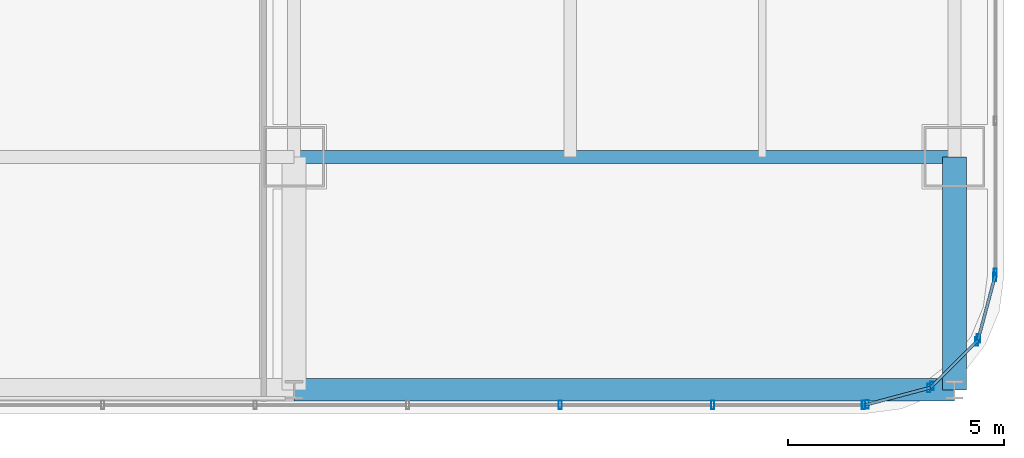
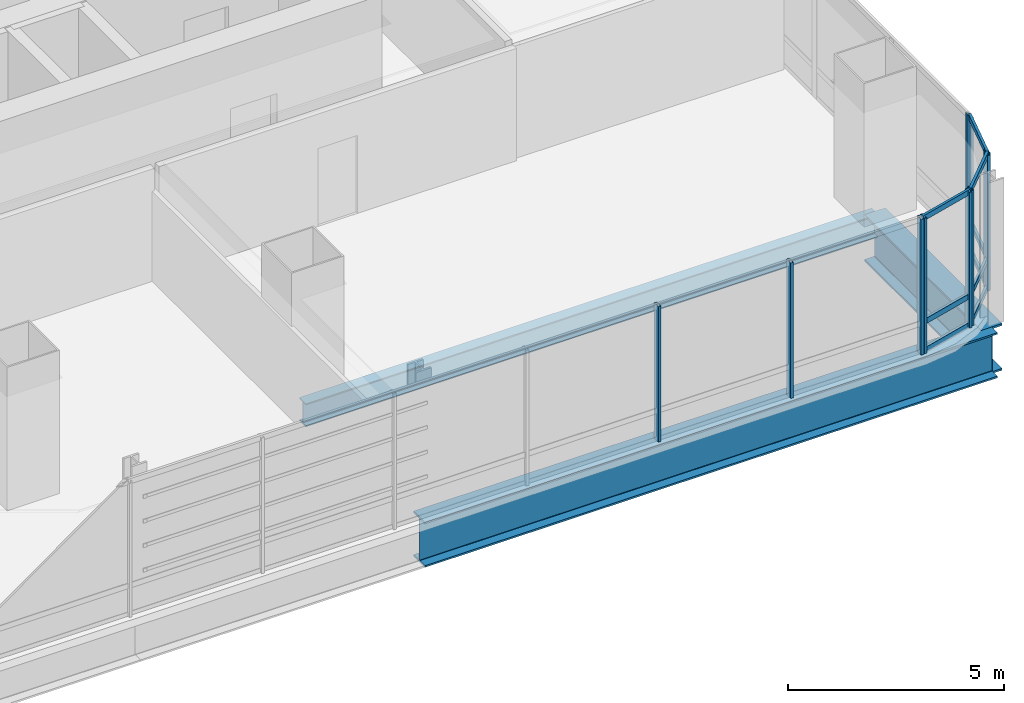
# One storey, part 13 of 36: 19 members, 3 beams, 5 elements without a shape of their own.
"""IFC4 building model written with IfcOpenShell, lengths in metres."""

from ifc_helpers import new_model, si_unit, direction, frame, origin, origin_2d, place, context, subcontext, project, spatial, hollow_rectangle, i_section, extrude, material, material_profile, profile_set, type_object, element, aggregate, save


model = new_model("IFC4")

# Units and contexts
model_context = context("Model", 3, precision=1e-05, world=origin(), true_north=direction((0.0, 1.0)))
body_context = subcontext(model_context, "Body", "Model", "MODEL_VIEW")
ifc_project = project(units=[si_unit("LENGTHUNIT", "METRE"), si_unit("AREAUNIT", "SQUARE_METRE"), si_unit("VOLUMEUNIT", "CUBIC_METRE"), si_unit("PLANEANGLEUNIT", "RADIAN"), si_unit("MASSUNIT", "GRAM", prefix="KILO")], contexts=[model_context])

# Site, building, storey
site_placement = place(None, origin())
site = spatial("IfcSite", under=ifc_project, at=site_placement, CompositionType="ELEMENT")
building_placement = place(site_placement, origin())
building = spatial("IfcBuilding", under=site, at=building_placement, Name="Punatoya Terracotta Tower", CompositionType="ELEMENT")
storey_placement = place(building_placement, frame((0.0, 0.0, 180.300048828125)))
storey = spatial("IfcBuildingStorey", under=building, at=storey_placement, Name="L42", CompositionType="ELEMENT", Elevation=180.300048828125)

# Beams
ifc_material_1 = material(Name="Steel S355", Category="steel")
ifc_material_profile_1 = material_profile(ifc_material_1, i_section(OverallWidth=0.300048828125, OverallDepth=0.64990234375, WebThickness=0.01611328125, FlangeThickness=0.031005859375, FilletRadius=0.01806640625, at=origin_2d()))
ifc_profile_set_1 = profile_set([ifc_material_profile_1], Name="Steel S355")
beam_type_1 = type_object("IfcBeamType", Name="BM-PRI-650", PredefinedType="BEAM", material=ifc_profile_set_1)
beam_1_placement = place(storey_placement, frame((3.800048828125, -17.5, -0.545166015625), z_axis=(1.0, 0.0, 0.0), x_axis=(0.0, 1.0, 0.0)))
element("IfcBeam", 1, at=beam_1_placement, inside=storey, type_object=beam_type_1, Name="BM-L42-RG-S3", PredefinedType="BEAM", context=body_context, shape_type="SweptSolid", body=[
    extrude(i_section(OverallWidth=0.300048828125, OverallDepth=0.64990234375, WebThickness=0.01611328125, FlangeThickness=0.031005859375, FilletRadius=0.01806640625, at=origin_2d()), origin(), (0.0, 0.0, 1.0), 15.300048828125),
])
ifc_material_2 = material(Name="Steel S460", Category="steel")
ifc_material_profile_2 = material_profile(ifc_material_2, i_section(OverallWidth=0.56005859375, OverallDepth=1.320068359375, WebThickness=0.035888671875, FlangeThickness=0.054931640625, FilletRadius=0.01806640625, at=origin_2d()))
ifc_profile_set_2 = profile_set([ifc_material_profile_2], Name="Steel S460")
beam_type_2 = type_object("IfcBeamType", Name="BM-TG-BLK", PredefinedType="BEAM", material=ifc_profile_set_2)
beam_2_placement = place(storey_placement, frame((19.10009765625, -22.89990234375, -0.880126953125), z_axis=(0.0, 1.0, 0.0), x_axis=(-1.0, 0.0, 0.0)))
element("IfcBeam", 2, at=beam_2_placement, inside=storey, type_object=beam_type_2, Name="BM-L42-CANT-S4", PredefinedType="BEAM", context=body_context, shape_type="SweptSolid", body=[
    extrude(i_section(OverallWidth=0.56005859375, OverallDepth=1.320068359375, WebThickness=0.035888671875, FlangeThickness=0.054931640625, FilletRadius=0.01806640625, at=origin_2d()), origin(), (0.0, 0.0, 1.0), 5.39990234375),
])
ifc_material_profile_3 = material_profile(ifc_material_2, i_section(OverallWidth=0.52001953125, OverallDepth=1.280029296875, WebThickness=0.031982421875, FlangeThickness=0.050048828125, FilletRadius=0.01806640625, at=origin_2d()))
ifc_profile_set_3 = profile_set([ifc_material_profile_3], Name="Steel S460")
beam_type_3 = type_object("IfcBeamType", Name="BM-TG-NCK", PredefinedType="BEAM", material=ifc_profile_set_3)
beam_3_placement = place(storey_placement, frame((3.800048828125, -22.89990234375, -0.860107421875), z_axis=(1.0, 0.0, 0.0), x_axis=(0.0, 1.0, 0.0)))
element("IfcBeam", 3, at=beam_3_placement, inside=storey, type_object=beam_type_3, Name="BM-L42-PER-S3", PredefinedType="BEAM", context=body_context, shape_type="SweptSolid", body=[
    extrude(i_section(OverallWidth=0.52001953125, OverallDepth=1.280029296875, WebThickness=0.031982421875, FlangeThickness=0.050048828125, FilletRadius=0.01806640625, at=origin_2d()), origin(), (0.0, 0.0, 1.0), 15.300048828125),
])

# Curtain wall, members
ifc_material_3 = material(Name="Aluminium 6063-T6 + Double Low-E Glass", Category="aluminium")
curtain_wall_type = type_object("IfcCurtainWallType", Name="CW-M2", PredefinedType="NOTDEFINED", material=ifc_material_3)
curtain_wall_1_placement = place(storey_placement, origin())
curtain_wall_1 = element("IfcCurtainWall", 4, at=curtain_wall_1_placement, inside=storey, type_object=curtain_wall_type, Name="L42 Curtain Wall CW-L42-S01-1", PredefinedType="NOTDEFINED")
ifc_material_4 = material(Name="Aluminium 6063-T6", Category="aluminium")
ifc_material_profile_4 = material_profile(ifc_material_4, hollow_rectangle(XDim=0.072021484375, YDim=0.195068359375, WallThickness=0.00439453125, at=origin_2d()))
ifc_profile_set_4 = profile_set([ifc_material_profile_4], Name="Aluminium 6063-T6")
member_type_1 = type_object("IfcMemberType", Name="CW-MUL-M2", PredefinedType="MULLION", material=ifc_profile_set_4)
member_1_placement = place(storey_placement, frame((9.968994140625, -23.25, 0.0), z_axis=(0.0, 0.0, 1.0), x_axis=(1.0, 0.0, 0.0)))
member_1 = element("IfcMember", 5, at=member_1_placement, type_object=member_type_1, Name="CW-L42-S01-1 Mullion 09", PredefinedType="MULLION", context=body_context, shape_type="SweptSolid", body=[
    extrude(hollow_rectangle(XDim=0.072021484375, YDim=0.195068359375, WallThickness=0.00439453125, at=origin_2d()), origin(), (0.0, 0.0, 1.0), 3.829833984375),
])
member_2_placement = place(storey_placement, frame((13.5029296875, -23.25, 0.0), z_axis=(0.0, 0.0, 1.0), x_axis=(1.0, 0.0, 0.0)))
member_2 = element("IfcMember", 6, at=member_2_placement, type_object=member_type_1, Name="CW-L42-S01-1 Mullion 10", PredefinedType="MULLION", context=body_context, shape_type="SweptSolid", body=[
    extrude(hollow_rectangle(XDim=0.072021484375, YDim=0.195068359375, WallThickness=0.00439453125, at=origin_2d()), origin(), (0.0, 0.0, 1.0), 3.829833984375),
])
member_3_placement = place(storey_placement, frame((16.991943359375, -23.25, 0.0), z_axis=(0.0, 0.0, 1.0), x_axis=(1.0, 0.0, 0.0)))
member_3 = element("IfcMember", 7, at=member_3_placement, type_object=member_type_1, Name="CW-L42-S01-1 Mullion 11", PredefinedType="MULLION", context=body_context, shape_type="SweptSolid", body=[
    extrude(hollow_rectangle(XDim=0.072021484375, YDim=0.195068359375, WallThickness=0.00439453125, at=origin_2d()), origin(), (0.0, 0.0, 1.0), 3.829833984375),
])
aggregate(curtain_wall_1, [member_1, member_2, member_3])

curtain_wall_2_placement = place(storey_placement, origin())
curtain_wall_2 = element("IfcCurtainWall", 8, at=curtain_wall_2_placement, inside=storey, type_object=curtain_wall_type, Name="L42 Curtain Wall CW-L42-CRN02", PredefinedType="NOTDEFINED")
member_4_placement = place(storey_placement, frame((17.080322265625, -23.23828125, 0.0), z_axis=(0.0, 0.0, 1.0), x_axis=(1.0, 0.0, 0.0)))
member_4 = element("IfcMember", 9, at=member_4_placement, type_object=member_type_1, Name="CW-L42-CRN02 Mullion 00", PredefinedType="MULLION", context=body_context, shape_type="SweptSolid", body=[
    extrude(hollow_rectangle(XDim=0.072021484375, YDim=0.195068359375, WallThickness=0.00439453125, at=origin_2d()), origin(), (0.0, 0.0, 1.0), 3.829833984375),
])
member_5_placement = place(storey_placement, frame((18.505615234375, -22.858154296875, 0.0), z_axis=(0.0, 0.0, 1.0), x_axis=(1.0, 0.0, 0.0)))
member_5 = element("IfcMember", 10, at=member_5_placement, type_object=member_type_1, Name="CW-L42-CRN02 Mullion 01", PredefinedType="MULLION", context=body_context, shape_type="SweptSolid", body=[
    extrude(hollow_rectangle(XDim=0.072021484375, YDim=0.195068359375, WallThickness=0.00439453125, at=origin_2d()), origin(), (0.0, 0.0, 1.0), 3.829833984375),
])

curtain_wall_3_placement = place(storey_placement, origin())
curtain_wall_3 = element("IfcCurtainWall", 11, at=curtain_wall_3_placement, inside=storey, type_object=curtain_wall_type, Name="L42 Curtain Wall CW-L42-CRN03", PredefinedType="NOTDEFINED")
member_6_placement = place(storey_placement, frame((18.580810546875, -22.814697265625, 0.0), z_axis=(0.0, 0.0, 1.0), x_axis=(1.0, 0.0, 0.0)))
member_6 = element("IfcMember", 12, at=member_6_placement, type_object=member_type_1, Name="CW-L42-CRN03 Mullion 00", PredefinedType="MULLION", context=body_context, shape_type="SweptSolid", body=[
    extrude(hollow_rectangle(XDim=0.072021484375, YDim=0.195068359375, WallThickness=0.00439453125, at=origin_2d()), origin(), (0.0, 0.0, 1.0), 3.829833984375),
])
member_7_placement = place(storey_placement, frame((19.61474609375, -21.781005859375, 0.0), z_axis=(0.0, 0.0, 1.0), x_axis=(1.0, 0.0, 0.0)))
member_7 = element("IfcMember", 13, at=member_7_placement, type_object=member_type_1, Name="CW-L42-CRN03 Mullion 01", PredefinedType="MULLION", context=body_context, shape_type="SweptSolid", body=[
    extrude(hollow_rectangle(XDim=0.072021484375, YDim=0.195068359375, WallThickness=0.00439453125, at=origin_2d()), origin(), (0.0, 0.0, 1.0), 3.829833984375),
])

curtain_wall_4_placement = place(storey_placement, origin())
curtain_wall_4 = element("IfcCurtainWall", 14, at=curtain_wall_4_placement, inside=storey, type_object=curtain_wall_type, Name="L42 Curtain Wall CW-L42-CRN04", PredefinedType="NOTDEFINED")
member_8_placement = place(storey_placement, frame((19.658203125, -21.70556640625, 0.0), z_axis=(0.0, 0.0, 1.0), x_axis=(1.0, 0.0, 0.0)))
member_8 = element("IfcMember", 15, at=member_8_placement, type_object=member_type_1, Name="CW-L42-CRN04 Mullion 00", PredefinedType="MULLION", context=body_context, shape_type="SweptSolid", body=[
    extrude(hollow_rectangle(XDim=0.072021484375, YDim=0.195068359375, WallThickness=0.00439453125, at=origin_2d()), origin(), (0.0, 0.0, 1.0), 3.829833984375),
])
member_9_placement = place(storey_placement, frame((20.038330078125, -20.280517578125, 0.0), z_axis=(0.0, 0.0, 1.0), x_axis=(1.0, 0.0, 0.0)))
member_9 = element("IfcMember", 16, at=member_9_placement, type_object=member_type_1, Name="CW-L42-CRN04 Mullion 01", PredefinedType="MULLION", context=body_context, shape_type="SweptSolid", body=[
    extrude(hollow_rectangle(XDim=0.072021484375, YDim=0.195068359375, WallThickness=0.00439453125, at=origin_2d()), origin(), (0.0, 0.0, 1.0), 3.829833984375),
])

# Curtain wall, member
curtain_wall_5_placement = place(storey_placement, origin())
curtain_wall_5 = element("IfcCurtainWall", 17, at=curtain_wall_5_placement, inside=storey, type_object=curtain_wall_type, Name="L42 Curtain Wall CW-L42-E05-1", PredefinedType="NOTDEFINED")
member_10_placement = place(storey_placement, frame((20.050048828125, -20.19189453125, 0.0), z_axis=(0.0, 0.0, 1.0), x_axis=(1.0, 0.0, 0.0)))
member_10 = element("IfcMember", 18, at=member_10_placement, type_object=member_type_1, Name="CW-L42-E05-1 Mullion 00", PredefinedType="MULLION", context=body_context, shape_type="SweptSolid", body=[
    extrude(hollow_rectangle(XDim=0.072021484375, YDim=0.195068359375, WallThickness=0.00439453125, at=origin_2d()), origin(), (0.0, 0.0, 1.0), 3.829833984375),
])
aggregate(curtain_wall_5, [member_10])

# Member
ifc_material_profile_5 = material_profile(ifc_material_4, hollow_rectangle(XDim=0.068115234375, YDim=0.14990234375, WallThickness=0.00390625, at=origin_2d()))
ifc_profile_set_5 = profile_set([ifc_material_profile_5], Name="Aluminium 6063-T6")
member_type_2 = type_object("IfcMemberType", Name="CW-TRN-TYP", PredefinedType="USERDEFINED", material=ifc_profile_set_5)
member_11_placement = place(storey_placement, frame((17.036865234375, -23.25, 0.0400390625), z_axis=(0.966224582397, 0.257701486942, 0.0), x_axis=(-0.257701486942, 0.966224582397, 0.0)))
member_11 = element("IfcMember", 19, at=member_11_placement, type_object=member_type_2, Name="CW-L42-CRN02 Transom 1", ObjectType="TRANSOM", PredefinedType="USERDEFINED", context=body_context, shape_type="SweptSolid", body=[
    extrude(hollow_rectangle(XDim=0.068115234375, YDim=0.14990234375, WallThickness=0.00390625, at=origin_2d()), origin(), (0.0, 0.0, 1.0), 1.565185546875),
])

member_12_placement = place(storey_placement, frame((17.036865234375, -23.25, 0.849853515625), z_axis=(0.966224582397, 0.257701486942, 0.0), x_axis=(-0.257701486942, 0.966224582397, 0.0)))
member_12 = element("IfcMember", 20, at=member_12_placement, type_object=member_type_2, Name="CW-L42-CRN02 Transom 2", ObjectType="TRANSOM", PredefinedType="USERDEFINED", context=body_context, shape_type="SweptSolid", body=[
    extrude(hollow_rectangle(XDim=0.068115234375, YDim=0.14990234375, WallThickness=0.00390625, at=origin_2d()), origin(), (0.0, 0.0, 1.0), 1.565185546875),
])

member_13_placement = place(storey_placement, frame((17.036865234375, -23.25, 3.7900390625), z_axis=(0.966224582397, 0.257701486942, 0.0), x_axis=(-0.257701486942, 0.966224582397, 0.0)))
member_13 = element("IfcMember", 21, at=member_13_placement, type_object=member_type_2, Name="CW-L42-CRN02 Transom 3", ObjectType="TRANSOM", PredefinedType="USERDEFINED", context=body_context, shape_type="SweptSolid", body=[
    extrude(hollow_rectangle(XDim=0.068115234375, YDim=0.14990234375, WallThickness=0.00390625, at=origin_2d()), origin(), (0.0, 0.0, 1.0), 1.565185546875),
])

aggregate(curtain_wall_2, [member_4, member_5, member_11, member_12, member_13])

member_14_placement = place(storey_placement, frame((18.549072265625, -22.8466796875, 0.0400390625), z_axis=(0.707028130747, 0.707185422879, 0.0), x_axis=(-0.707185422879, 0.707028130747, 0.0)))
member_14 = element("IfcMember", 22, at=member_14_placement, type_object=member_type_2, Name="CW-L42-CRN03 Transom 1", ObjectType="TRANSOM", PredefinedType="USERDEFINED", context=body_context, shape_type="SweptSolid", body=[
    extrude(hollow_rectangle(XDim=0.068115234375, YDim=0.14990234375, WallThickness=0.00390625, at=origin_2d()), origin(), (0.0, 0.0, 1.0), 1.55224609375),
])

member_15_placement = place(storey_placement, frame((18.549072265625, -22.8466796875, 0.849853515625), z_axis=(0.707028130747, 0.707185422879, 0.0), x_axis=(-0.707185422879, 0.707028130747, 0.0)))
member_15 = element("IfcMember", 23, at=member_15_placement, type_object=member_type_2, Name="CW-L42-CRN03 Transom 2", ObjectType="TRANSOM", PredefinedType="USERDEFINED", context=body_context, shape_type="SweptSolid", body=[
    extrude(hollow_rectangle(XDim=0.068115234375, YDim=0.14990234375, WallThickness=0.00390625, at=origin_2d()), origin(), (0.0, 0.0, 1.0), 1.55224609375),
])

member_16_placement = place(storey_placement, frame((18.549072265625, -22.8466796875, 3.7900390625), z_axis=(0.707028130747, 0.707185422879, 0.0), x_axis=(-0.707185422879, 0.707028130747, 0.0)))
member_16 = element("IfcMember", 24, at=member_16_placement, type_object=member_type_2, Name="CW-L42-CRN03 Transom 3", ObjectType="TRANSOM", PredefinedType="USERDEFINED", context=body_context, shape_type="SweptSolid", body=[
    extrude(hollow_rectangle(XDim=0.068115234375, YDim=0.14990234375, WallThickness=0.00390625, at=origin_2d()), origin(), (0.0, 0.0, 1.0), 1.55224609375),
])

aggregate(curtain_wall_3, [member_6, member_7, member_14, member_15, member_16])

member_17_placement = place(storey_placement, frame((19.646484375, -21.7490234375, 0.0400390625), z_axis=(0.257847112249, 0.966185730957, 0.0), x_axis=(-0.966185730957, 0.257847112249, 0.0)))
member_17 = element("IfcMember", 25, at=member_17_placement, type_object=member_type_2, Name="CW-L42-CRN04 Transom 1", ObjectType="TRANSOM", PredefinedType="USERDEFINED", context=body_context, shape_type="SweptSolid", body=[
    extrude(hollow_rectangle(XDim=0.068115234375, YDim=0.14990234375, WallThickness=0.00390625, at=origin_2d()), origin(), (0.0, 0.0, 1.0), 1.565185546875),
])

member_18_placement = place(storey_placement, frame((19.646484375, -21.7490234375, 0.849853515625), z_axis=(0.257847112249, 0.966185730957, 0.0), x_axis=(-0.966185730957, 0.257847112249, 0.0)))
member_18 = element("IfcMember", 26, at=member_18_placement, type_object=member_type_2, Name="CW-L42-CRN04 Transom 2", ObjectType="TRANSOM", PredefinedType="USERDEFINED", context=body_context, shape_type="SweptSolid", body=[
    extrude(hollow_rectangle(XDim=0.068115234375, YDim=0.14990234375, WallThickness=0.00390625, at=origin_2d()), origin(), (0.0, 0.0, 1.0), 1.565185546875),
])

member_19_placement = place(storey_placement, frame((19.646484375, -21.7490234375, 3.7900390625), z_axis=(0.257847112249, 0.966185730957, 0.0), x_axis=(-0.966185730957, 0.257847112249, 0.0)))
member_19 = element("IfcMember", 27, at=member_19_placement, type_object=member_type_2, Name="CW-L42-CRN04 Transom 3", ObjectType="TRANSOM", PredefinedType="USERDEFINED", context=body_context, shape_type="SweptSolid", body=[
    extrude(hollow_rectangle(XDim=0.068115234375, YDim=0.14990234375, WallThickness=0.00390625, at=origin_2d()), origin(), (0.0, 0.0, 1.0), 1.565185546875),
])

aggregate(curtain_wall_4, [member_8, member_9, member_17, member_18, member_19])

save(model, "model.ifc")
